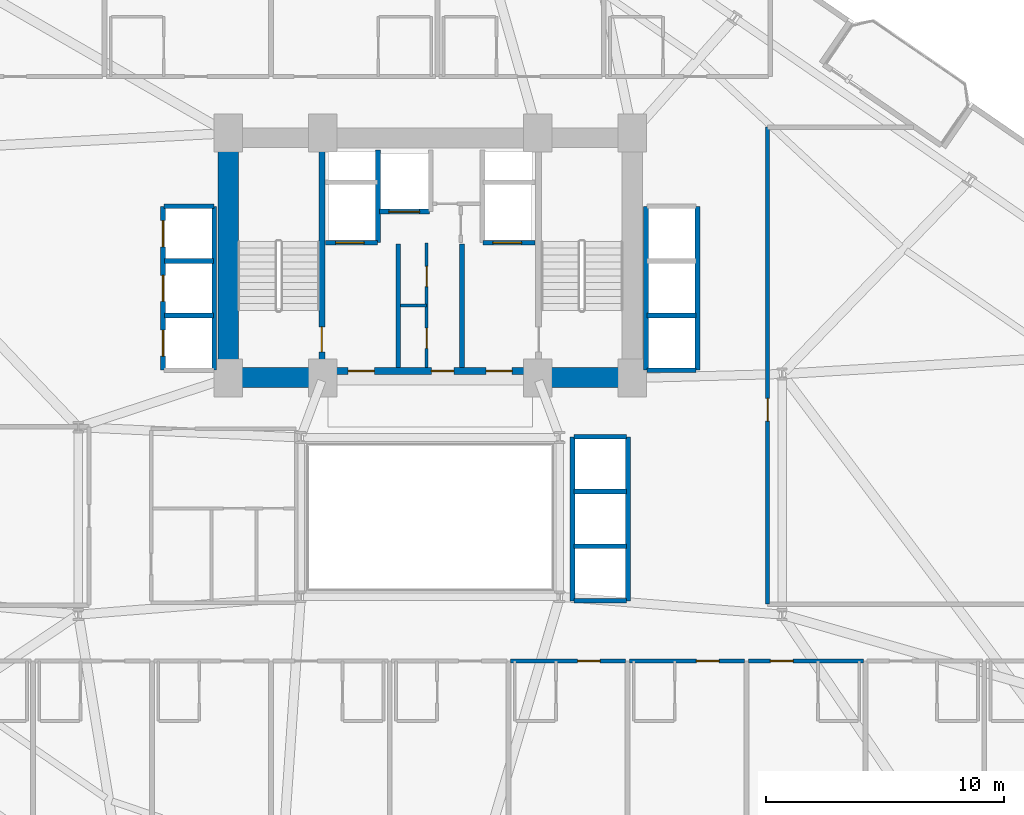
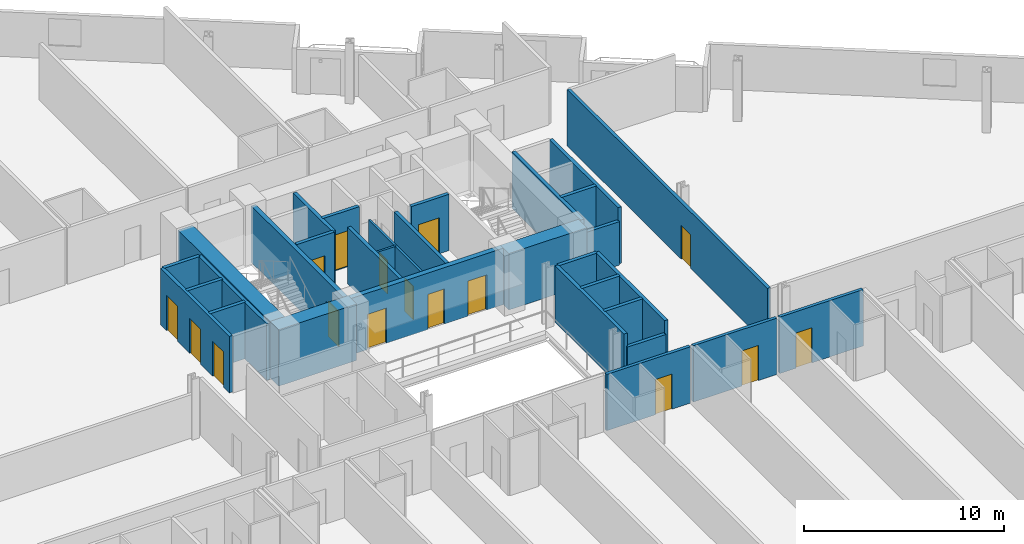
# One storey, part 19 of 25: 32 walls, 16 doors, 16 openings.
"""IFC4 building model written with IfcOpenShell, lengths in metres."""

from ifc_helpers import new_model, si_unit, direction, frame, frame_2d, origin, place, context, subcontext, project, spatial, rectangle, extrude, material, layer, layer_set, type_object, element, fill, save


model = new_model("IFC4")

# Units and contexts
model_context = context("Model", 3, precision=1e-05, world=origin(), true_north=direction((0.0, 1.0)))
body_context = subcontext(model_context, "Body", "Model", "MODEL_VIEW")
ifc_project = project(units=[si_unit("LENGTHUNIT", "METRE"), si_unit("AREAUNIT", "SQUARE_METRE"), si_unit("VOLUMEUNIT", "CUBIC_METRE"), si_unit("PLANEANGLEUNIT", "RADIAN"), si_unit("MASSUNIT", "GRAM", prefix="KILO")], contexts=[model_context])

# Site, building, storey
site_placement = place(None, origin())
site = spatial("IfcSite", under=ifc_project, at=site_placement, CompositionType="ELEMENT")
building_placement = place(site_placement, origin())
building = spatial("IfcBuilding", under=site, at=building_placement, Name="Varnelok Gate Tower", CompositionType="ELEMENT")
storey_placement = place(building_placement, frame((0.0, 0.0, 34.39990234375)))
storey = spatial("IfcBuildingStorey", under=building, at=storey_placement, Name="L07", CompositionType="ELEMENT", Elevation=34.39990234375)

# Wall, opening, door
ifc_material_1 = material(Name="Gypsum Plasterboard Acoustic Partition", Category="gypsum")
ifc_layer_1 = layer(ifc_material_1, 0.179931640625)
ifc_layer_set_1 = layer_set([ifc_layer_1], Name="Gypsum Plasterboard Acoustic Partition")
wall_type_1 = type_object("IfcWallType", Name="PW-CORR-180", PredefinedType="PARTITIONING", material=ifc_layer_set_1)
wall_1_placement = place(storey_placement, frame((42.580078125, 16.85009765625, 0.0), z_axis=(0.0, 0.0, 1.0), x_axis=(1.0, 0.0, 0.0)))
wall_1 = element("IfcWall", 1, at=wall_1_placement, inside=storey, type_object=wall_type_1, Name="Interior Partition", PredefinedType="PARTITIONING", context=body_context, shape_type="SweptSolid", body=[
    extrude(rectangle(XDim=4.83984375, YDim=0.179931640625, at=frame_2d((2.419921875, 0.0))), origin(), (0.0, 0.0, 1.0), 3.4501953125),
])
opening_1_placement = place(wall_1_placement, frame((2.819091796875, 0.0, 0.0)))
opening_1 = element("IfcOpeningElement", 2, at=opening_1_placement, cuts=wall_1, Name="Opening D-HT", PredefinedType="OPENING", context=body_context, shape_type="SweptSolid", body=[
    extrude(rectangle(XDim=0.949951171875, YDim=2.14990234375, at=frame_2d((0.47509765625, 1.074951171875))), frame((0.0, 0.099853515625, 0.0), z_axis=(0.0, -1.0, 0.0), x_axis=(1.0, 0.0, 0.0)), (0.0, 0.0, 1.0), 0.199951171875),
])
ifc_material_2 = material(Name="Engineered Hardwood Timber", Category="wood")
door_type_1 = type_object("IfcDoorType", Name="DR-HTL-950", OperationType="NOTDEFINED", PredefinedType="DOOR", material=ifc_material_2)
door_1_placement = place(opening_1_placement, origin())
door_1 = element("IfcDoor", 3, at=door_1_placement, inside=storey, type_object=door_type_1, Name="L07 Guest Room 08 Entrance Door", OperationType="SINGLE_SWING_LEFT", OverallHeight=2.14990234375, OverallWidth=0.949951171875, PredefinedType="DOOR", context=body_context, shape_type="SweptSolid", body=[
    extrude(rectangle(XDim=0.949951171875, YDim=2.14990234375, at=frame_2d((0.47509765625, 1.074951171875))), frame((0.0, 0.02490234375, 0.0), z_axis=(0.0, -1.0, 0.0), x_axis=(1.0, 0.0, 0.0)), (0.0, 0.0, 1.0), 0.050048828125),
])
fill(opening_1, door_1)

wall_2_placement = place(storey_placement, frame((47.580078125, 16.85009765625, 0.0), z_axis=(0.0, 0.0, 1.0), x_axis=(1.0, 0.0, 0.0)))
wall_2 = element("IfcWall", 4, at=wall_2_placement, inside=storey, type_object=wall_type_1, Name="Interior Partition", PredefinedType="PARTITIONING", context=body_context, shape_type="SweptSolid", body=[
    extrude(rectangle(XDim=4.83984375, YDim=0.179931640625, at=frame_2d((2.419921875, 0.0))), origin(), (0.0, 0.0, 1.0), 3.4501953125),
])
opening_2_placement = place(wall_2_placement, frame((2.819091796875, 0.0, 0.0)))
opening_2 = element("IfcOpeningElement", 5, at=opening_2_placement, cuts=wall_2, Name="Opening D-HT", PredefinedType="OPENING", context=body_context, shape_type="SweptSolid", body=[
    extrude(rectangle(XDim=0.949951171875, YDim=2.14990234375, at=frame_2d((0.47509765625, 1.074951171875))), frame((0.0, 0.099853515625, 0.0), z_axis=(0.0, -1.0, 0.0), x_axis=(1.0, 0.0, 0.0)), (0.0, 0.0, 1.0), 0.199951171875),
])
door_2_placement = place(opening_2_placement, origin())
door_2 = element("IfcDoor", 6, at=door_2_placement, inside=storey, type_object=door_type_1, Name="L07 Guest Room 09 Entrance Door", OperationType="SINGLE_SWING_RIGHT", OverallHeight=2.14990234375, OverallWidth=0.949951171875, PredefinedType="DOOR", context=body_context, shape_type="SweptSolid", body=[
    extrude(rectangle(XDim=0.949951171875, YDim=2.14990234375, at=frame_2d((0.47509765625, 1.074951171875))), frame((0.0, 0.02490234375, 0.0), z_axis=(0.0, -1.0, 0.0), x_axis=(1.0, 0.0, 0.0)), (0.0, 0.0, 1.0), 0.050048828125),
])
fill(opening_2, door_2)

wall_3_placement = place(storey_placement, frame((52.580078125, 16.85009765625, 0.0), z_axis=(0.0, 0.0, 1.0), x_axis=(1.0, 0.0, 0.0)))
wall_3 = element("IfcWall", 7, at=wall_3_placement, inside=storey, type_object=wall_type_1, Name="Interior Partition", PredefinedType="PARTITIONING", context=body_context, shape_type="SweptSolid", body=[
    extrude(rectangle(XDim=4.83984375, YDim=0.179931640625, at=frame_2d((2.419921875, 0.0))), origin(), (0.0, 0.0, 1.0), 3.4501953125),
])
opening_3_placement = place(wall_3_placement, frame((0.92919921875, 0.0, 0.0)))
opening_3 = element("IfcOpeningElement", 8, at=opening_3_placement, cuts=wall_3, Name="Opening D-HT", PredefinedType="OPENING", context=body_context, shape_type="SweptSolid", body=[
    extrude(rectangle(XDim=0.949951171875, YDim=2.14990234375, at=frame_2d((0.47509765625, 1.074951171875))), frame((0.0, 0.099853515625, 0.0), z_axis=(0.0, -1.0, 0.0), x_axis=(1.0, 0.0, 0.0)), (0.0, 0.0, 1.0), 0.199951171875),
])
door_3_placement = place(opening_3_placement, origin())
door_3 = element("IfcDoor", 9, at=door_3_placement, inside=storey, type_object=door_type_1, Name="L07 Guest Room 10 Entrance Door", OperationType="SINGLE_SWING_LEFT", OverallHeight=2.14990234375, OverallWidth=0.949951171875, PredefinedType="DOOR", context=body_context, shape_type="SweptSolid", body=[
    extrude(rectangle(XDim=0.949951171875, YDim=2.14990234375, at=frame_2d((0.47509765625, 1.074951171875))), frame((0.0, 0.02490234375, 0.0), z_axis=(0.0, -1.0, 0.0), x_axis=(1.0, 0.0, 0.0)), (0.0, 0.0, 1.0), 0.050048828125),
])
fill(opening_3, door_3)

wall_4_placement = place(storey_placement, frame((53.389892578125, 19.239990234375, 0.0), z_axis=(0.0, 0.0, 1.0), x_axis=(0.0, 1.0, 0.0)))
wall_4 = element("IfcWall", 10, at=wall_4_placement, inside=storey, type_object=wall_type_1, Name="Interior Partition", PredefinedType="PARTITIONING", context=body_context, shape_type="SweptSolid", body=[
    extrude(rectangle(XDim=20.06005859375, YDim=0.179931640625, at=frame_2d((10.030029296875, 0.0))), origin(), (0.0, 0.0, 1.0), 3.4501953125),
])
opening_4_placement = place(wall_4_placement, frame((7.699951171875, 0.0, 0.0)))
opening_4 = element("IfcOpeningElement", 11, at=opening_4_placement, cuts=wall_4, Name="Opening D-I2", PredefinedType="OPENING", context=body_context, shape_type="SweptSolid", body=[
    extrude(rectangle(XDim=0.949951171875, YDim=2.050048828125, at=frame_2d((0.47509765625, 1.02490234375))), frame((0.0, 0.099853515625, 0.0), z_axis=(0.0, -1.0, 0.0), x_axis=(1.0, 0.0, 0.0)), (0.0, 0.0, 1.0), 0.199951171875),
])
door_type_2 = type_object("IfcDoorType", Name="DR-INT-950", OperationType="NOTDEFINED", PredefinedType="DOOR", material=ifc_material_2)
door_4_placement = place(opening_4_placement, origin())
door_4 = element("IfcDoor", 12, at=door_4_placement, inside=storey, type_object=door_type_2, Name="L07 East Club Door", OperationType="SINGLE_SWING_RIGHT", OverallHeight=2.050048828125, OverallWidth=0.949951171875, PredefinedType="DOOR", context=body_context, shape_type="SweptSolid", body=[
    extrude(rectangle(XDim=0.949951171875, YDim=2.050048828125, at=frame_2d((0.47509765625, 1.02490234375))), frame((0.0, 0.02490234375, 0.0), z_axis=(0.0, -1.0, 0.0), x_axis=(1.0, 0.0, 0.0)), (0.0, 0.0, 1.0), 0.050048828125),
])
fill(opening_4, door_4)

# Wall
ifc_layer_2 = layer(ifc_material_1, 0.125)
ifc_layer_set_2 = layer_set([ifc_layer_2], Name="Gypsum Plasterboard Acoustic Partition")
wall_type_2 = type_object("IfcWallType", Name="PW-PART-125", PredefinedType="PARTITIONING", material=ifc_layer_set_2)
wall_5_placement = place(storey_placement, frame((37.9599609375, 31.800048828125, 0.0), z_axis=(0.0, 0.0, 1.0), x_axis=(1.0, 0.0, 0.0)))
element("IfcWall", 13, at=wall_5_placement, inside=storey, type_object=wall_type_2, Name="Interior Partition", PredefinedType="PARTITIONING", context=body_context, shape_type="SweptSolid", body=[
    extrude(rectangle(XDim=1.090087890625, YDim=0.125, at=frame_2d((0.544921875, 0.0))), origin(), (0.0, 0.0, 1.0), 3.4501953125),
])

# Wall, openings, doors
wall_6_placement = place(storey_placement, frame((39.050048828125, 29.199951171875, 0.0), z_axis=(0.0, 0.0, 1.0), x_axis=(0.0, 1.0, 0.0)))
wall_6 = element("IfcWall", 14, at=wall_6_placement, inside=storey, type_object=wall_type_2, Name="Interior Partition", PredefinedType="PARTITIONING", context=body_context, shape_type="SweptSolid", body=[
    extrude(rectangle(XDim=5.219970703125, YDim=0.125, at=frame_2d((2.60986328125, 0.0))), origin(), (0.0, 0.0, 1.0), 3.4501953125),
])
opening_5_placement = place(wall_6_placement, frame((0.800048828125, 0.0, 0.0)))
opening_5 = element("IfcOpeningElement", 15, at=opening_5_placement, cuts=wall_6, Name="Opening D-RS", PredefinedType="OPENING", context=body_context, shape_type="SweptSolid", body=[
    extrude(rectangle(XDim=0.85009765625, YDim=2.050048828125, at=frame_2d((0.425048828125, 1.02490234375))), frame((0.0, 0.072509765625, 0.0), z_axis=(0.0, -1.0, 0.0), x_axis=(1.0, 0.0, 0.0)), (0.0, 0.0, 1.0), 0.14501953125),
])
opening_6_placement = place(wall_6_placement, frame((3.39990234375, 0.0, 0.0)))
opening_6 = element("IfcOpeningElement", 16, at=opening_6_placement, cuts=wall_6, Name="Opening D-RS", PredefinedType="OPENING", context=body_context, shape_type="SweptSolid", body=[
    extrude(rectangle(XDim=0.85009765625, YDim=2.050048828125, at=frame_2d((0.425048828125, 1.02490234375))), frame((0.0, 0.072509765625, 0.0), z_axis=(0.0, -1.0, 0.0), x_axis=(1.0, 0.0, 0.0)), (0.0, 0.0, 1.0), 0.14501953125),
])
ifc_material_3 = material(Name="Galvanized Steel Grade S350GD", Category="steel")
door_type_3 = type_object("IfcDoorType", Name="DR-RISER-850", OperationType="NOTDEFINED", PredefinedType="DOOR", material=ifc_material_3)
door_5_placement = place(opening_5_placement, origin())
door_5 = element("IfcDoor", 17, at=door_5_placement, inside=storey, type_object=door_type_3, Name="L07 Housekeeping Linen Door", OperationType="SINGLE_SWING_LEFT", OverallHeight=2.050048828125, OverallWidth=0.85009765625, PredefinedType="DOOR", context=body_context, shape_type="SweptSolid", body=[
    extrude(rectangle(XDim=0.85009765625, YDim=2.050048828125, at=frame_2d((0.425048828125, 1.02490234375))), frame((0.0, 0.02490234375, 0.0), z_axis=(0.0, -1.0, 0.0), x_axis=(1.0, 0.0, 0.0)), (0.0, 0.0, 1.0), 0.050048828125),
])
fill(opening_5, door_5)
door_6_placement = place(opening_6_placement, origin())
door_6 = element("IfcDoor", 18, at=door_6_placement, inside=storey, type_object=door_type_3, Name="L07 Janitor Sink Door", OperationType="SINGLE_SWING_RIGHT", OverallHeight=2.050048828125, OverallWidth=0.85009765625, PredefinedType="DOOR", context=body_context, shape_type="SweptSolid", body=[
    extrude(rectangle(XDim=0.85009765625, YDim=2.050048828125, at=frame_2d((0.425048828125, 1.02490234375))), frame((0.0, 0.02490234375, 0.0), z_axis=(0.0, -1.0, 0.0), x_axis=(1.0, 0.0, 0.0)), (0.0, 0.0, 1.0), 0.050048828125),
])
fill(opening_6, door_6)

# Walls
ifc_material_4 = material(Name="Concrete C35/45", Category="concrete")
ifc_layer_3 = layer(ifc_material_4, 0.199951171875)
ifc_layer_set_3 = layer_set([ifc_layer_3], Name="Concrete C35/45")
wall_type_3 = type_object("IfcWallType", Name="PW-SHAFT-200", PredefinedType="PARTITIONING", material=ifc_layer_set_3)
for number, where, z_axis, x_axis, name in (
    (19, (37.860107421875, 29.199951171875, 0.0), (0.0, 0.0, 1.0), (0.0, 1.0, 0.0), "L07 West FF Lobby Rated Wall"),
    (20, (40.5400390625, 29.199951171875, 0.0), (0.0, 0.0, 1.0), (0.0, 1.0, 0.0), "L07 East FF Lobby Rated Wall"),
):
    element("IfcWall", number, at=place(storey_placement, frame(where, z_axis=z_axis, x_axis=x_axis)), inside=storey, type_object=wall_type_3, Name=name, PredefinedType="PARTITIONING", context=body_context, shape_type="SweptSolid", body=[
        extrude(rectangle(XDim=5.179931640625, YDim=0.199951171875, at=frame_2d((2.58984375, 0.0))), origin(), (0.0, 0.0, 1.0), 3.4501953125),
    ])

# Wall, opening, door
wall_7_placement = place(storey_placement, frame((34.800048828125, 34.43994140625, 0.0), z_axis=(0.0, 0.0, 1.0), x_axis=(1.0, 0.0, 0.0)))
wall_7 = element("IfcWall", 21, at=wall_7_placement, inside=storey, type_object=wall_type_3, Name="L07 FF1 Shaft Front Wall", PredefinedType="PARTITIONING", context=body_context, shape_type="SweptSolid", body=[
    extrude(rectangle(XDim=2.179931640625, YDim=0.199951171875, at=frame_2d((1.08984375, 0.0))), origin(), (0.0, 0.0, 1.0), 3.4501953125),
])
opening_7_placement = place(wall_7_placement, frame((0.419921875, 0.0, 0.0)))
opening_7 = element("IfcOpeningElement", 22, at=opening_7_placement, cuts=wall_7, Name="Opening LD-FF1", PredefinedType="OPENING", context=body_context, shape_type="SweptSolid", body=[
    extrude(rectangle(XDim=1.199951171875, YDim=2.199951171875, at=frame_2d((0.60009765625, 1.10009765625))), frame((0.0, 0.10986328125, 0.0), z_axis=(0.0, -1.0, 0.0), x_axis=(1.0, 0.0, 0.0)), (0.0, 0.0, 1.0), 0.219970703125),
])
door_type_4 = type_object("IfcDoorType", Name="DR-LIFT-FF1200", OperationType="SLIDING_TO_LEFT", PredefinedType="DOOR", material=ifc_material_3)
door_7_placement = place(opening_7_placement, origin())
door_7 = element("IfcDoor", 23, at=door_7_placement, inside=storey, type_object=door_type_4, Name="L07 Firefighting Lift Landing Door LD-FF1", OperationType="SLIDING_TO_LEFT", OverallHeight=2.199951171875, OverallWidth=1.199951171875, PredefinedType="DOOR", context=body_context, shape_type="SweptSolid", body=[
    extrude(rectangle(XDim=1.199951171875, YDim=2.199951171875, at=frame_2d((0.60009765625, 1.10009765625))), frame((0.0, 0.02490234375, 0.0), z_axis=(0.0, -1.0, 0.0), x_axis=(1.0, 0.0, 0.0)), (0.0, 0.0, 1.0), 0.050048828125),
])
fill(opening_7, door_7)

# Wall
wall_8_placement = place(storey_placement, frame((37.0, 34.43994140625, 0.0), z_axis=(0.0, 0.0, 1.0), x_axis=(0.0, 1.0, 0.0)))
element("IfcWall", 24, at=wall_8_placement, inside=storey, type_object=wall_type_3, Name="L07 FF1 Shaft Side Wall", PredefinedType="PARTITIONING", context=body_context, shape_type="SweptSolid", body=[
    extrude(rectangle(XDim=3.900146484375, YDim=0.199951171875, at=frame_2d((1.9501953125, 0.0))), origin(), (0.0, 0.0, 1.0), 3.4501953125),
])

# Wall, opening, door
wall_9_placement = place(storey_placement, frame((41.419921875, 34.43994140625, 0.0), z_axis=(0.0, 0.0, 1.0), x_axis=(1.0, 0.0, 0.0)))
wall_9 = element("IfcWall", 25, at=wall_9_placement, inside=storey, type_object=wall_type_3, Name="L07 FF2 Shaft Front Wall", PredefinedType="PARTITIONING", context=body_context, shape_type="SweptSolid", body=[
    extrude(rectangle(XDim=2.18017578125, YDim=0.199951171875, at=frame_2d((1.090087890625, 0.0))), origin(), (0.0, 0.0, 1.0), 3.4501953125),
])
opening_8_placement = place(wall_9_placement, frame((0.419921875, 0.0, 0.0)))
opening_8 = element("IfcOpeningElement", 26, at=opening_8_placement, cuts=wall_9, Name="Opening LD-FF2", PredefinedType="OPENING", context=body_context, shape_type="SweptSolid", body=[
    extrude(rectangle(XDim=1.199951171875, YDim=2.199951171875, at=frame_2d((0.60009765625, 1.10009765625))), frame((0.0, 0.10986328125, 0.0), z_axis=(0.0, -1.0, 0.0), x_axis=(1.0, 0.0, 0.0)), (0.0, 0.0, 1.0), 0.219970703125),
])
door_8_placement = place(opening_8_placement, origin())
door_8 = element("IfcDoor", 27, at=door_8_placement, inside=storey, type_object=door_type_4, Name="L07 Firefighting Lift Landing Door LD-FF2", OperationType="SLIDING_TO_LEFT", OverallHeight=2.199951171875, OverallWidth=1.199951171875, PredefinedType="DOOR", context=body_context, shape_type="SweptSolid", body=[
    extrude(rectangle(XDim=1.199951171875, YDim=2.199951171875, at=frame_2d((0.60009765625, 1.10009765625))), frame((0.0, 0.02490234375, 0.0), z_axis=(0.0, -1.0, 0.0), x_axis=(1.0, 0.0, 0.0)), (0.0, 0.0, 1.0), 0.050048828125),
])
fill(opening_8, door_8)

wall_10_placement = place(storey_placement, frame((37.06005859375, 35.75, 0.0), z_axis=(0.0, 0.0, 1.0), x_axis=(1.0, 0.0, 0.0)))
wall_10 = element("IfcWall", 28, at=wall_10_placement, inside=storey, type_object=wall_type_3, Name="L07 SV1 Shaft Front Wall", PredefinedType="PARTITIONING", context=body_context, shape_type="SweptSolid", body=[
    extrude(rectangle(XDim=2.119873046875, YDim=0.199951171875, at=frame_2d((1.06005859375, 0.0))), origin(), (0.0, 0.0, 1.0), 3.4501953125),
])
opening_9_placement = place(wall_10_placement, frame((0.39990234375, 0.0, 0.0)))
opening_9 = element("IfcOpeningElement", 29, at=opening_9_placement, cuts=wall_10, Name="Opening LD-SV1", PredefinedType="OPENING", context=body_context, shape_type="SweptSolid", body=[
    extrude(rectangle(XDim=1.300048828125, YDim=2.199951171875, at=frame_2d((0.64990234375, 1.10009765625))), frame((0.0, 0.10986328125, 0.0), z_axis=(0.0, -1.0, 0.0), x_axis=(1.0, 0.0, 0.0)), (0.0, 0.0, 1.0), 0.219970703125),
])
door_type_5 = type_object("IfcDoorType", Name="DR-LIFT-SV1300", OperationType="SLIDING_TO_LEFT", PredefinedType="DOOR", material=ifc_material_3)
door_9_placement = place(opening_9_placement, origin())
door_9 = element("IfcDoor", 30, at=door_9_placement, inside=storey, type_object=door_type_5, Name="L07 Service Lift Landing Door LD-SV1", OperationType="SLIDING_TO_LEFT", OverallHeight=2.199951171875, OverallWidth=1.300048828125, PredefinedType="DOOR", context=body_context, shape_type="SweptSolid", body=[
    extrude(rectangle(XDim=1.300048828125, YDim=2.199951171875, at=frame_2d((0.64990234375, 1.10009765625))), frame((0.0, 0.02490234375, 0.0), z_axis=(0.0, -1.0, 0.0), x_axis=(1.0, 0.0, 0.0)), (0.0, 0.0, 1.0), 0.050048828125),
])
fill(opening_9, door_9)

# Walls
for number, where, z_axis, x_axis, name in (
    (31, (28.02001953125, 31.375, 0.0), (0.0, 0.0, 1.0), (1.0, 0.0, 0.0), "L07 PL1 Divider"),
    (32, (28.02001953125, 33.675048828125, 0.0), (0.0, 0.0, 1.0), (1.0, 0.0, 0.0), "L07 PL2 Divider"),
):
    element("IfcWall", number, at=place(storey_placement, frame(where, z_axis=z_axis, x_axis=x_axis)), inside=storey, type_object=wall_type_3, Name=name, PredefinedType="PARTITIONING", context=body_context, shape_type="SweptSolid", body=[
        extrude(rectangle(XDim=2.06005859375, YDim=0.199951171875, at=frame_2d((1.030029296875, 0.0))), origin(), (0.0, 0.0, 1.0), 3.4501953125),
    ])
wall_11_placement = place(storey_placement, frame((28.0, 35.969970703125, 0.0), z_axis=(0.0, 0.0, 1.0), x_axis=(1.0, 0.0, 0.0)))
element("IfcWall", 33, at=wall_11_placement, inside=storey, type_object=wall_type_3, Name="L07 PL Bank North Wall", PredefinedType="PARTITIONING", context=body_context, shape_type="SweptSolid", body=[
    extrude(rectangle(XDim=2.10009765625, YDim=0.199951171875, at=frame_2d((1.050048828125, 0.0))), origin(), (0.0, 0.0, 1.0), 3.4501953125),
])
wall_12_placement = place(storey_placement, frame((30.1201171875, 29.080078125, 0.0), z_axis=(0.0, 0.0, 1.0), x_axis=(0.0, 1.0, 0.0)))
element("IfcWall", 34, at=wall_12_placement, inside=storey, type_object=wall_type_3, Name="L07 PL Bank Back Wall", PredefinedType="PARTITIONING", context=body_context, shape_type="SweptSolid", body=[
    extrude(rectangle(XDim=6.889892578125, YDim=0.199951171875, at=frame_2d((3.44482421875, 0.0))), origin(), (0.0, 0.0, 1.0), 3.4501953125),
])

# Wall, openings, doors
wall_13_placement = place(storey_placement, frame((27.9599609375, 29.080078125, 0.0), z_axis=(0.0, 0.0, 1.0), x_axis=(0.0, 1.0, 0.0)))
wall_13 = element("IfcWall", 35, at=wall_13_placement, inside=storey, type_object=wall_type_3, Name="L07 PL Bank Front Wall", PredefinedType="PARTITIONING", context=body_context, shape_type="SweptSolid", body=[
    extrude(rectangle(XDim=6.889892578125, YDim=0.199951171875, at=frame_2d((3.44482421875, 0.0))), origin(), (0.0, 0.0, 1.0), 3.4501953125),
])
opening_10_placement = place(wall_13_placement, frame((0.590087890625, 0.0, 0.0)))
opening_10 = element("IfcOpeningElement", 36, at=opening_10_placement, cuts=wall_13, Name="Opening LD-PL1", PredefinedType="OPENING", context=body_context, shape_type="SweptSolid", body=[
    extrude(rectangle(XDim=1.10009765625, YDim=2.14990234375, at=frame_2d((0.550048828125, 1.074951171875))), frame((0.0, 0.10986328125, 0.0), z_axis=(0.0, -1.0, 0.0), x_axis=(1.0, 0.0, 0.0)), (0.0, 0.0, 1.0), 0.219970703125),
])
opening_11_placement = place(wall_13_placement, frame((2.889892578125, 0.0, 0.0)))
opening_11 = element("IfcOpeningElement", 37, at=opening_11_placement, cuts=wall_13, Name="Opening LD-PL2", PredefinedType="OPENING", context=body_context, shape_type="SweptSolid", body=[
    extrude(rectangle(XDim=1.10009765625, YDim=2.14990234375, at=frame_2d((0.550048828125, 1.074951171875))), frame((0.0, 0.10986328125, 0.0), z_axis=(0.0, -1.0, 0.0), x_axis=(1.0, 0.0, 0.0)), (0.0, 0.0, 1.0), 0.219970703125),
])
opening_12_placement = place(wall_13_placement, frame((5.18994140625, 0.0, 0.0)))
opening_12 = element("IfcOpeningElement", 38, at=opening_12_placement, cuts=wall_13, Name="Opening LD-PL3", PredefinedType="OPENING", context=body_context, shape_type="SweptSolid", body=[
    extrude(rectangle(XDim=1.10009765625, YDim=2.14990234375, at=frame_2d((0.550048828125, 1.074951171875))), frame((0.0, 0.10986328125, 0.0), z_axis=(0.0, -1.0, 0.0), x_axis=(1.0, 0.0, 0.0)), (0.0, 0.0, 1.0), 0.219970703125),
])
door_type_6 = type_object("IfcDoorType", Name="DR-LIFT-PAX1100", OperationType="SLIDING_TO_LEFT", PredefinedType="DOOR", material=ifc_material_3)
door_10_placement = place(opening_10_placement, origin())
door_10 = element("IfcDoor", 39, at=door_10_placement, inside=storey, type_object=door_type_6, Name="L07 Passenger Lift Landing Door LD-PL1", OperationType="SLIDING_TO_LEFT", OverallHeight=2.14990234375, OverallWidth=1.10009765625, PredefinedType="DOOR", context=body_context, shape_type="SweptSolid", body=[
    extrude(rectangle(XDim=1.10009765625, YDim=2.14990234375, at=frame_2d((0.550048828125, 1.074951171875))), frame((0.0, 0.02490234375, 0.0), z_axis=(0.0, -1.0, 0.0), x_axis=(1.0, 0.0, 0.0)), (0.0, 0.0, 1.0), 0.050048828125),
])
fill(opening_10, door_10)
door_11_placement = place(opening_11_placement, origin())
door_11 = element("IfcDoor", 40, at=door_11_placement, inside=storey, type_object=door_type_6, Name="L07 Passenger Lift Landing Door LD-PL2", OperationType="SLIDING_TO_LEFT", OverallHeight=2.14990234375, OverallWidth=1.10009765625, PredefinedType="DOOR", context=body_context, shape_type="SweptSolid", body=[
    extrude(rectangle(XDim=1.10009765625, YDim=2.14990234375, at=frame_2d((0.550048828125, 1.074951171875))), frame((0.0, 0.02490234375, 0.0), z_axis=(0.0, -1.0, 0.0), x_axis=(1.0, 0.0, 0.0)), (0.0, 0.0, 1.0), 0.050048828125),
])
fill(opening_11, door_11)
door_12_placement = place(opening_12_placement, origin())
door_12 = element("IfcDoor", 41, at=door_12_placement, inside=storey, type_object=door_type_6, Name="L07 Passenger Lift Landing Door LD-PL3", OperationType="SLIDING_TO_LEFT", OverallHeight=2.14990234375, OverallWidth=1.10009765625, PredefinedType="DOOR", context=body_context, shape_type="SweptSolid", body=[
    extrude(rectangle(XDim=1.10009765625, YDim=2.14990234375, at=frame_2d((0.550048828125, 1.074951171875))), frame((0.0, 0.02490234375, 0.0), z_axis=(0.0, -1.0, 0.0), x_axis=(1.0, 0.0, 0.0)), (0.0, 0.0, 1.0), 0.050048828125),
])
fill(opening_12, door_12)

# Walls
wall_14_placement = place(storey_placement, frame((48.320068359375, 31.375, 0.0), z_axis=(0.0, 0.0, 1.0), x_axis=(1.0, 0.0, 0.0)))
element("IfcWall", 42, at=wall_14_placement, inside=storey, type_object=wall_type_3, Name="L07 PM1 Divider", PredefinedType="PARTITIONING", context=body_context, shape_type="SweptSolid", body=[
    extrude(rectangle(XDim=2.059814453125, YDim=0.199951171875, at=frame_2d((1.02978515625, 0.0))), origin(), (0.0, 0.0, 1.0), 3.4501953125),
])
wall_15_placement = place(storey_placement, frame((48.320068359375, 29.080078125, 0.0), z_axis=(0.0, 0.0, 1.0), x_axis=(1.0, 0.0, 0.0)))
element("IfcWall", 43, at=wall_15_placement, inside=storey, type_object=wall_type_3, Name="L07 PM Bank South Wall", PredefinedType="PARTITIONING", context=body_context, shape_type="SweptSolid", body=[
    extrude(rectangle(XDim=2.059814453125, YDim=0.199951171875, at=frame_2d((1.02978515625, 0.0))), origin(), (0.0, 0.0, 1.0), 2.662109375),
])
for number, where, z_axis, x_axis, name in (
    (44, (48.280029296875, 29.080078125, 0.0), (0.0, 0.0, 1.0), (0.0, 1.0, 0.0), "L07 PM Bank Back Wall"),
    (45, (50.43994140625, 29.080078125, 0.0), (0.0, 0.0, 1.0), (0.0, 1.0, 0.0), "L07 PM Bank Front Wall"),
):
    element("IfcWall", number, at=place(storey_placement, frame(where, z_axis=z_axis, x_axis=x_axis)), inside=storey, type_object=wall_type_3, Name=name, PredefinedType="PARTITIONING", context=body_context, shape_type="SweptSolid", body=[
        extrude(rectangle(XDim=6.889892578125, YDim=0.199951171875, at=frame_2d((3.44482421875, 0.0))), origin(), (0.0, 0.0, 1.0), 3.4501953125),
    ])
for number, where, z_axis, x_axis, name in (
    (46, (45.239990234375, 21.675048828125, 0.0), (0.0, 0.0, 1.0), (1.0, 0.0, 0.0), "L07 PH1 Divider"),
    (47, (45.239990234375, 23.97509765625, 0.0), (0.0, 0.0, 1.0), (1.0, 0.0, 0.0), "L07 PH2 Divider"),
):
    element("IfcWall", number, at=place(storey_placement, frame(where, z_axis=z_axis, x_axis=x_axis)), inside=storey, type_object=wall_type_3, Name=name, PredefinedType="PARTITIONING", context=body_context, shape_type="SweptSolid", body=[
        extrude(rectangle(XDim=2.219970703125, YDim=0.199951171875, at=frame_2d((1.10986328125, 0.0))), origin(), (0.0, 0.0, 1.0), 3.4501953125),
    ])
wall_16_placement = place(storey_placement, frame((45.239990234375, 19.3798828125, 0.0), z_axis=(0.0, 0.0, 1.0), x_axis=(1.0, 0.0, 0.0)))
element("IfcWall", 48, at=wall_16_placement, inside=storey, type_object=wall_type_3, Name="L07 PH Bank South Wall", PredefinedType="PARTITIONING", context=body_context, shape_type="SweptSolid", body=[
    extrude(rectangle(XDim=2.219970703125, YDim=0.199951171875, at=frame_2d((1.10986328125, 0.0))), origin(), (0.0, 0.0, 1.0), 2.662109375),
])
wall_17_placement = place(storey_placement, frame((45.239990234375, 26.280029296875, 0.0), z_axis=(0.0, 0.0, 1.0), x_axis=(1.0, 0.0, 0.0)))
element("IfcWall", 49, at=wall_17_placement, inside=storey, type_object=wall_type_3, Name="L07 PH Bank North Wall", PredefinedType="PARTITIONING", context=body_context, shape_type="SweptSolid", body=[
    extrude(rectangle(XDim=2.219970703125, YDim=0.199951171875, at=frame_2d((1.10986328125, 0.0))), origin(), (0.0, 0.0, 1.0), 3.4501953125),
])
for number, where, z_axis, x_axis, name in (
    (50, (45.179931640625, 19.3798828125, 0.0), (0.0, 0.0, 1.0), (0.0, 1.0, 0.0), "L07 PH Bank Atrium Wall"),
    (51, (47.52001953125, 19.3798828125, 0.0), (0.0, 0.0, 1.0), (0.0, 1.0, 0.0), "L07 PH Bank Front Wall"),
):
    element("IfcWall", number, at=place(storey_placement, frame(where, z_axis=z_axis, x_axis=x_axis)), inside=storey, type_object=wall_type_3, Name=name, PredefinedType="PARTITIONING", context=body_context, shape_type="SweptSolid", body=[
        extrude(rectangle(XDim=6.900146484375, YDim=0.199951171875, at=frame_2d((3.4501953125, 0.0))), origin(), (0.0, 0.0, 1.0), 3.4501953125),
    ])
ifc_material_5 = material(Name="Concrete C70/85", Category="concrete")
ifc_layer_4 = layer(ifc_material_5, 0.85009765625)
ifc_layer_set_4 = layer_set([ifc_layer_4], Name="Concrete C70/85")
wall_type_4 = type_object("IfcWallType", Name="SW-CORE-850", PredefinedType="SHEAR", material=ifc_layer_set_4)
wall_18_placement = place(storey_placement, frame((30.705078125, 29.199951171875, 0.0), z_axis=(0.0, 0.0, 1.0), x_axis=(0.0, 1.0, 0.0)))
element("IfcWall", 52, at=wall_18_placement, inside=storey, type_object=wall_type_4, Name="L07 Rear Core West Shear Wall", PredefinedType="SHEAR", context=body_context, shape_type="SweptSolid", body=[
    extrude(rectangle(XDim=9.219970703125, YDim=0.85009765625, at=frame_2d((4.60986328125, 0.0))), origin(), (0.0, 0.0, 1.0), 3.4501953125),
])
for number, where, z_axis, x_axis, name in (
    (53, (30.280029296875, 28.77490234375, 0.0), (0.0, 0.0, 1.0), (1.0, 0.0, 0.0), "L07 Rear Core South-West Shear Wall"),
    (54, (43.60009765625, 28.77490234375, 0.0), (0.0, 0.0, 1.0), (1.0, 0.0, 0.0), "L07 Rear Core South-East Shear Wall"),
):
    element("IfcWall", number, at=place(storey_placement, frame(where, z_axis=z_axis, x_axis=x_axis)), inside=storey, type_object=wall_type_4, Name=name, PredefinedType="SHEAR", context=body_context, shape_type="SweptSolid", body=[
        extrude(rectangle(XDim=4.52001953125, YDim=0.85009765625, at=frame_2d((2.260009765625, 0.0))), origin(), (0.0, 0.0, 1.0), 3.4501953125),
    ])

# Wall, opening, door
ifc_material_6 = material(Name="Concrete C60/75", Category="concrete")
ifc_layer_5 = layer(ifc_material_6, 0.25)
ifc_layer_set_5 = layer_set([ifc_layer_5], Name="Concrete C60/75")
wall_type_5 = type_object("IfcWallType", Name="SW-SHAFT-250", PredefinedType="SHEAR", material=ifc_layer_set_5)
wall_19_placement = place(storey_placement, frame((34.639892578125, 29.199951171875, 0.0), z_axis=(0.0, 0.0, 1.0), x_axis=(0.0, 1.0, 0.0)))
wall_19 = element("IfcWall", 55, at=wall_19_placement, inside=storey, type_object=wall_type_5, Name="L07 Stair ST-1 East Shear Wall", PredefinedType="SHEAR", context=body_context, shape_type="SweptSolid", body=[
    extrude(rectangle(XDim=9.219970703125, YDim=0.25, at=frame_2d((4.60986328125, 0.0))), origin(), (0.0, 0.0, 1.0), 3.4501953125),
])
opening_13_placement = place(wall_19_placement, frame((0.64990234375, 0.0, 0.0)))
opening_13 = element("IfcOpeningElement", 56, at=opening_13_placement, cuts=wall_19, Name="Opening D-ST", PredefinedType="OPENING", context=body_context, shape_type="SweptSolid", body=[
    extrude(rectangle(XDim=1.050048828125, YDim=2.14990234375, at=frame_2d((0.52490234375, 1.074951171875))), frame((0.0, 0.135009765625, 0.0), z_axis=(0.0, -1.0, 0.0), x_axis=(1.0, 0.0, 0.0)), (0.0, 0.0, 1.0), 0.27001953125),
])
door_type_7 = type_object("IfcDoorType", Name="DR-STAIR-1050", OperationType="NOTDEFINED", PredefinedType="DOOR", material=ifc_material_3)
door_13_placement = place(opening_13_placement, origin())
door_13 = element("IfcDoor", 57, at=door_13_placement, inside=storey, type_object=door_type_7, Name="L07 Exit Stair ST-1 Fire Door", OperationType="SINGLE_SWING_LEFT", OverallHeight=2.14990234375, OverallWidth=1.050048828125, PredefinedType="DOOR", context=body_context, shape_type="SweptSolid", body=[
    extrude(rectangle(XDim=1.050048828125, YDim=2.14990234375, at=frame_2d((0.52490234375, 1.074951171875))), frame((0.0, 0.02490234375, 0.0), z_axis=(0.0, -1.0, 0.0), x_axis=(1.0, 0.0, 0.0)), (0.0, 0.0, 1.0), 0.050048828125),
])
fill(opening_13, door_13)

# Wall, openings, doors
ifc_layer_6 = layer(ifc_material_6, 0.300048828125)
ifc_layer_set_6 = layer_set([ifc_layer_6], Name="Concrete C60/75")
wall_type_6 = type_object("IfcWallType", Name="SW-SHAFT-300", PredefinedType="SHEAR", material=ifc_layer_set_6)
wall_20_placement = place(storey_placement, frame((34.800048828125, 29.050048828125, 0.0), z_axis=(0.0, 0.0, 1.0), x_axis=(1.0, 0.0, 0.0)))
wall_20 = element("IfcWall", 58, at=wall_20_placement, inside=storey, type_object=wall_type_6, Name="L07 Rear Core Central Lobby Shear Wall", PredefinedType="SHEAR", context=body_context, shape_type="SweptSolid", body=[
    extrude(rectangle(XDim=8.800048828125, YDim=0.300048828125, at=frame_2d((4.39990234375, 0.0))), origin(), (0.0, 0.0, 1.0), 3.4501953125),
])
opening_14_placement = place(wall_20_placement, frame((0.949951171875, 0.0, 0.0)))
opening_14 = element("IfcOpeningElement", 59, at=opening_14_placement, cuts=wall_20, Name="Opening D-FF", PredefinedType="OPENING", context=body_context, shape_type="SweptSolid", body=[
    extrude(rectangle(XDim=1.10009765625, YDim=2.14990234375, at=frame_2d((0.550048828125, 1.074951171875))), frame((0.0, 0.159912109375, 0.0), z_axis=(0.0, -1.0, 0.0), x_axis=(1.0, 0.0, 0.0)), (0.0, 0.0, 1.0), 0.320068359375),
])
opening_15_placement = place(wall_20_placement, frame((6.75, 0.0, 0.0)))
opening_15 = element("IfcOpeningElement", 60, at=opening_15_placement, cuts=wall_20, Name="Opening D-FF", PredefinedType="OPENING", context=body_context, shape_type="SweptSolid", body=[
    extrude(rectangle(XDim=1.10009765625, YDim=2.14990234375, at=frame_2d((0.550048828125, 1.074951171875))), frame((0.0, 0.159912109375, 0.0), z_axis=(0.0, -1.0, 0.0), x_axis=(1.0, 0.0, 0.0)), (0.0, 0.0, 1.0), 0.320068359375),
])
opening_16_placement = place(wall_20_placement, frame((4.449951171875, 0.0, 0.0)))
opening_16 = element("IfcOpeningElement", 61, at=opening_16_placement, cuts=wall_20, Name="Opening D-CR", PredefinedType="OPENING", context=body_context, shape_type="SweptSolid", body=[
    extrude(rectangle(XDim=0.949951171875, YDim=2.14990234375, at=frame_2d((0.47509765625, 1.074951171875))), frame((0.0, 0.159912109375, 0.0), z_axis=(0.0, -1.0, 0.0), x_axis=(1.0, 0.0, 0.0)), (0.0, 0.0, 1.0), 0.320068359375),
])
door_type_8 = type_object("IfcDoorType", Name="DR-CORR-950", OperationType="NOTDEFINED", PredefinedType="DOOR", material=ifc_material_3)
door_14_placement = place(opening_16_placement, origin())
door_14 = element("IfcDoor", 62, at=door_14_placement, inside=storey, type_object=door_type_8, Name="L07 Core Service Passage Door", OperationType="SINGLE_SWING_LEFT", OverallHeight=2.14990234375, OverallWidth=0.949951171875, PredefinedType="DOOR", context=body_context, shape_type="SweptSolid", body=[
    extrude(rectangle(XDim=0.949951171875, YDim=2.14990234375, at=frame_2d((0.47509765625, 1.074951171875))), frame((0.0, 0.02490234375, 0.0), z_axis=(0.0, -1.0, 0.0), x_axis=(1.0, 0.0, 0.0)), (0.0, 0.0, 1.0), 0.050048828125),
])
fill(opening_16, door_14)
door_type_9 = type_object("IfcDoorType", Name="DR-FFLOB-1100", OperationType="NOTDEFINED", PredefinedType="DOOR", material=ifc_material_3)
door_15_placement = place(opening_14_placement, origin())
door_15 = element("IfcDoor", 63, at=door_15_placement, inside=storey, type_object=door_type_9, Name="L07 West Firefighting Lobby Fire Door", OperationType="SINGLE_SWING_RIGHT", OverallHeight=2.14990234375, OverallWidth=1.10009765625, PredefinedType="DOOR", context=body_context, shape_type="SweptSolid", body=[
    extrude(rectangle(XDim=1.10009765625, YDim=2.14990234375, at=frame_2d((0.550048828125, 1.074951171875))), frame((0.0, 0.02490234375, 0.0), z_axis=(0.0, -1.0, 0.0), x_axis=(1.0, 0.0, 0.0)), (0.0, 0.0, 1.0), 0.050048828125),
])
fill(opening_14, door_15)
door_16_placement = place(opening_15_placement, origin())
door_16 = element("IfcDoor", 64, at=door_16_placement, inside=storey, type_object=door_type_9, Name="L07 East Firefighting Lobby Fire Door", OperationType="SINGLE_SWING_LEFT", OverallHeight=2.14990234375, OverallWidth=1.10009765625, PredefinedType="DOOR", context=body_context, shape_type="SweptSolid", body=[
    extrude(rectangle(XDim=1.10009765625, YDim=2.14990234375, at=frame_2d((0.550048828125, 1.074951171875))), frame((0.0, 0.02490234375, 0.0), z_axis=(0.0, -1.0, 0.0), x_axis=(1.0, 0.0, 0.0)), (0.0, 0.0, 1.0), 0.050048828125),
])
fill(opening_15, door_16)

save(model, "model.ifc")
